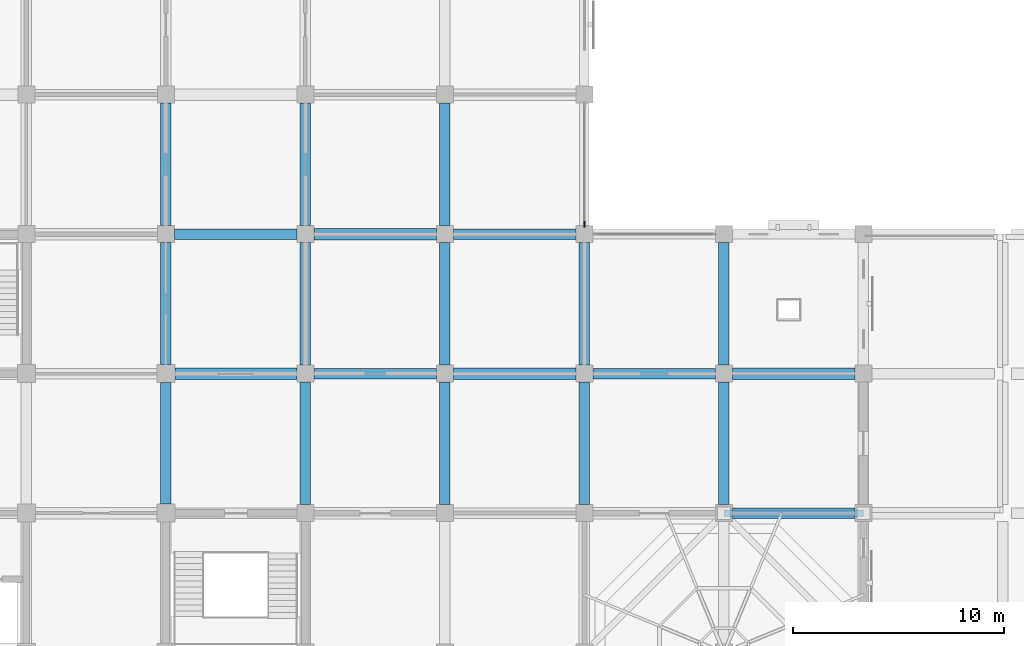
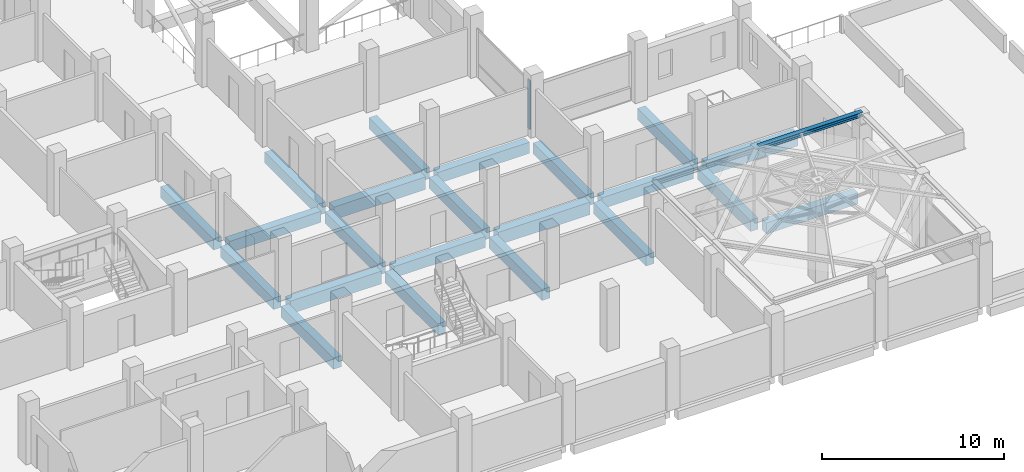
# One storey, part 3 of 25: 23 beams, 1 member, 1 element without a shape of its own.
"""IFC4 building model written with IfcOpenShell, lengths in metres."""

from ifc_helpers import new_model, si_unit, direction, frame, origin, origin_2d, place, context, subcontext, project, spatial, rectangle, i_section, extrude, material, material_profile, profile_set, type_object, element, aggregate, save


model = new_model("IFC4")

# Units and contexts
model_context = context("Model", 3, precision=1e-05, world=origin(), true_north=direction((0.0, 1.0)))
body_context = subcontext(model_context, "Body", "Model", "MODEL_VIEW")
ifc_project = project(units=[si_unit("LENGTHUNIT", "METRE"), si_unit("AREAUNIT", "SQUARE_METRE"), si_unit("VOLUMEUNIT", "CUBIC_METRE"), si_unit("PLANEANGLEUNIT", "RADIAN"), si_unit("MASSUNIT", "GRAM", prefix="KILO")], contexts=[model_context])

# Site, building, storey
site_placement = place(None, origin())
site = spatial("IfcSite", under=ifc_project, at=site_placement, CompositionType="ELEMENT")
building_placement = place(site_placement, origin())
building = spatial("IfcBuilding", under=site, at=building_placement, Name="Rusizi Kubbe Research Institute", CompositionType="ELEMENT")
storey_placement = place(building_placement, frame((0.0, 0.0, 14.39990234375)))
storey = spatial("IfcBuildingStorey", under=building, at=storey_placement, Name="L03", CompositionType="ELEMENT", Elevation=14.39990234375)

# Beams
ifc_material_1 = material(Name="Steel S355", Category="steel")
ifc_material_profile_1 = material_profile(ifc_material_1, i_section(OverallWidth=0.300048828125, OverallDepth=0.300048828125, WebThickness=0.010986328125, FlangeThickness=0.01904296875, at=origin_2d()), Name="HEB 300")
ifc_profile_set_1 = profile_set([ifc_material_profile_1], Name="Steel S355")
beam_type_1 = type_object("IfcBeamType", Name="BM-HEB300", PredefinedType="BEAM", material=ifc_profile_set_1)
beam_1_placement = place(storey_placement, frame((59.39990234375, 13.199951171875, 4.7001953125), z_axis=(1.0, 0.0, 0.0), x_axis=(0.0, 1.0, 0.0)))
element("IfcBeam", 1, at=beam_1_placement, inside=storey, type_object=beam_type_1, Name="Kubbe Dome Ring Beam DOME-EP1 N2", PredefinedType="BEAM", context=body_context, shape_type="SweptSolid", body=[
    extrude(i_section(OverallWidth=0.300048828125, OverallDepth=0.300048828125, WebThickness=0.010986328125, FlangeThickness=0.01904296875, at=origin_2d()), origin(), (0.0, 0.0, 1.0), 6.60009765625),
])
ifc_material_2 = material(Name="Concrete C45/55", Category="concrete")
ifc_material_profile_2 = material_profile(ifc_material_2, rectangle(XDim=0.5, YDim=0.75, at=origin_2d()), Name="RC500x750B")
ifc_profile_set_2 = profile_set([ifc_material_profile_2], Name="Concrete C45/55")
beam_type_2 = type_object("IfcBeamType", Name="BM-RC500x750", PredefinedType="BEAM", material=ifc_profile_set_2)
for number, where, z_axis, x_axis, name in (
    (2, (33.39990234375, 26.39990234375, -0.724853515625), (1.0, 0.0, 0.0), (0.0, 1.0, 0.0), "Grid Beam H L03 (5,4)"),
    (3, (40.0, 19.800048828125, -0.724853515625), (1.0, 0.0, 0.0), (0.0, 1.0, 0.0), "Grid Beam H L03 (6,3)"),
):
    element("IfcBeam", number, at=place(storey_placement, frame(where, z_axis=z_axis, x_axis=x_axis)), inside=storey, type_object=beam_type_2, Name=name, PredefinedType="BEAM", context=body_context, shape_type="SweptSolid", body=[
        extrude(rectangle(XDim=0.5, YDim=0.75, at=origin_2d()), origin(), (0.0, 0.0, 1.0), 5.800048828125),
    ])
beam_2_placement = place(storey_placement, frame((46.60009765625, 26.39990234375, -0.724853515625), z_axis=(1.0, 0.0, 0.0), x_axis=(0.0, 1.0, 0.0)))
element("IfcBeam", 4, at=beam_2_placement, inside=storey, type_object=beam_type_2, Name="Grid Beam H L03 (7,4)", PredefinedType="BEAM", context=body_context, shape_type="SweptSolid", body=[
    extrude(rectangle(XDim=0.5, YDim=0.75, at=origin_2d()), origin(), (0.0, 0.0, 1.0), 5.7998046875),
])
for number, where, z_axis, x_axis, name in (
    (5, (53.199951171875, 19.800048828125, -0.724853515625), (1.0, 0.0, 0.0), (0.0, 1.0, 0.0), "Grid Beam H L03 (8,3)"),
    (6, (59.800048828125, 13.199951171875, -0.724853515625), (1.0, 0.0, 0.0), (0.0, 1.0, 0.0), "Grid Beam H L03 (9,2)"),
):
    element("IfcBeam", number, at=place(storey_placement, frame(where, z_axis=z_axis, x_axis=x_axis)), inside=storey, type_object=beam_type_2, Name=name, PredefinedType="BEAM", context=body_context, shape_type="SweptSolid", body=[
        extrude(rectangle(XDim=0.5, YDim=0.75, at=origin_2d()), origin(), (0.0, 0.0, 1.0), 5.800048828125),
    ])
beam_3_placement = place(storey_placement, frame((33.0, 13.625, -0.724853515625), z_axis=(0.0, 1.0, 0.0), x_axis=(-1.0, 0.0, 0.0)))
element("IfcBeam", 7, at=beam_3_placement, inside=storey, type_object=beam_type_2, Name="Grid Beam V L03 (5,2)", PredefinedType="BEAM", context=body_context, shape_type="SweptSolid", body=[
    extrude(rectangle(XDim=0.5, YDim=0.75, at=origin_2d()), origin(), (0.0, 0.0, 1.0), 5.75),
])
beam_4_placement = place(storey_placement, frame((33.0, 20.22509765625, -0.724853515625), z_axis=(0.0, 1.0, 0.0), x_axis=(-1.0, 0.0, 0.0)))
element("IfcBeam", 8, at=beam_4_placement, inside=storey, type_object=beam_type_2, Name="Grid Beam V L03 (5,3)", PredefinedType="BEAM", context=body_context, shape_type="SweptSolid", body=[
    extrude(rectangle(XDim=0.5, YDim=0.75, at=origin_2d()), origin(), (0.0, 0.0, 1.0), 5.77490234375),
])
beam_5_placement = place(storey_placement, frame((33.0, 26.800048828125, -0.724853515625), z_axis=(0.0, 1.0, 0.0), x_axis=(-1.0, 0.0, 0.0)))
element("IfcBeam", 9, at=beam_5_placement, inside=storey, type_object=beam_type_2, Name="Grid Beam V L03 (5,4)", PredefinedType="BEAM", context=body_context, shape_type="SweptSolid", body=[
    extrude(rectangle(XDim=0.5, YDim=0.75, at=origin_2d()), origin(), (0.0, 0.0, 1.0), 5.800048828125),
])
beam_6_placement = place(storey_placement, frame((39.60009765625, 13.60009765625, -0.724853515625), z_axis=(0.0, 1.0, 0.0), x_axis=(-1.0, 0.0, 0.0)))
element("IfcBeam", 10, at=beam_6_placement, inside=storey, type_object=beam_type_2, Name="Grid Beam V L03 (6,2)", PredefinedType="BEAM", context=body_context, shape_type="SweptSolid", body=[
    extrude(rectangle(XDim=0.5, YDim=0.75, at=origin_2d()), origin(), (0.0, 0.0, 1.0), 5.7998046875),
])
for number, where, z_axis, x_axis, name in (
    (11, (39.60009765625, 20.199951171875, -0.724853515625), (0.0, 1.0, 0.0), (-1.0, 0.0, 0.0), "Grid Beam V L03 (6,3)"),
    (12, (39.60009765625, 26.800048828125, -0.724853515625), (0.0, 1.0, 0.0), (-1.0, 0.0, 0.0), "Grid Beam V L03 (6,4)"),
):
    element("IfcBeam", number, at=place(storey_placement, frame(where, z_axis=z_axis, x_axis=x_axis)), inside=storey, type_object=beam_type_2, Name=name, PredefinedType="BEAM", context=body_context, shape_type="SweptSolid", body=[
        extrude(rectangle(XDim=0.5, YDim=0.75, at=origin_2d()), origin(), (0.0, 0.0, 1.0), 5.800048828125),
    ])
beam_7_placement = place(storey_placement, frame((46.199951171875, 13.60009765625, -0.724853515625), z_axis=(0.0, 1.0, 0.0), x_axis=(-1.0, 0.0, 0.0)))
element("IfcBeam", 13, at=beam_7_placement, inside=storey, type_object=beam_type_2, Name="Grid Beam V L03 (7,2)", PredefinedType="BEAM", context=body_context, shape_type="SweptSolid", body=[
    extrude(rectangle(XDim=0.5, YDim=0.75, at=origin_2d()), origin(), (0.0, 0.0, 1.0), 5.7998046875),
])
for number, where, z_axis, x_axis, name in (
    (14, (46.199951171875, 20.199951171875, -0.724853515625), (0.0, 1.0, 0.0), (-1.0, 0.0, 0.0), "Grid Beam V L03 (7,3)"),
    (15, (46.199951171875, 26.800048828125, -0.724853515625), (0.0, 1.0, 0.0), (-1.0, 0.0, 0.0), "Grid Beam V L03 (7,4)"),
):
    element("IfcBeam", number, at=place(storey_placement, frame(where, z_axis=z_axis, x_axis=x_axis)), inside=storey, type_object=beam_type_2, Name=name, PredefinedType="BEAM", context=body_context, shape_type="SweptSolid", body=[
        extrude(rectangle(XDim=0.5, YDim=0.75, at=origin_2d()), origin(), (0.0, 0.0, 1.0), 5.800048828125),
    ])
beam_8_placement = place(storey_placement, frame((52.800048828125, 13.60009765625, -0.724853515625), z_axis=(0.0, 1.0, 0.0), x_axis=(-1.0, 0.0, 0.0)))
element("IfcBeam", 16, at=beam_8_placement, inside=storey, type_object=beam_type_2, Name="Grid Beam V L03 (8,2)", PredefinedType="BEAM", context=body_context, shape_type="SweptSolid", body=[
    extrude(rectangle(XDim=0.5, YDim=0.75, at=origin_2d()), origin(), (0.0, 0.0, 1.0), 5.7998046875),
])
beam_9_placement = place(storey_placement, frame((52.800048828125, 20.199951171875, -0.724853515625), z_axis=(0.0, 1.0, 0.0), x_axis=(-1.0, 0.0, 0.0)))
element("IfcBeam", 17, at=beam_9_placement, inside=storey, type_object=beam_type_2, Name="Grid Beam V L03 (8,3)", PredefinedType="BEAM", context=body_context, shape_type="SweptSolid", body=[
    extrude(rectangle(XDim=0.5, YDim=0.75, at=origin_2d()), origin(), (0.0, 0.0, 1.0), 5.800048828125),
])
beam_10_placement = place(storey_placement, frame((59.39990234375, 13.60009765625, -0.724853515625), z_axis=(0.0, 1.0, 0.0), x_axis=(-1.0, 0.0, 0.0)))
element("IfcBeam", 18, at=beam_10_placement, inside=storey, type_object=beam_type_2, Name="Grid Beam V L03 (9,2)", PredefinedType="BEAM", context=body_context, shape_type="SweptSolid", body=[
    extrude(rectangle(XDim=0.5, YDim=0.75, at=origin_2d()), origin(), (0.0, 0.0, 1.0), 5.7998046875),
])
beam_11_placement = place(storey_placement, frame((59.39990234375, 20.199951171875, -0.724853515625), z_axis=(0.0, 1.0, 0.0), x_axis=(-1.0, 0.0, 0.0)))
element("IfcBeam", 19, at=beam_11_placement, inside=storey, type_object=beam_type_2, Name="Grid Beam V L03 (9,3)", PredefinedType="BEAM", context=body_context, shape_type="SweptSolid", body=[
    extrude(rectangle(XDim=0.5, YDim=0.75, at=origin_2d()), origin(), (0.0, 0.0, 1.0), 5.800048828125),
])
ifc_material_3 = material(Name="Concrete C45/55", Category="concrete")
ifc_material_profile_3 = material_profile(ifc_material_3, rectangle(XDim=0.550048828125, YDim=0.85009765625, at=origin_2d()), Name="RC550x850")
ifc_profile_set_3 = profile_set([ifc_material_profile_3], Name="Concrete C45/55")
beam_type_3 = type_object("IfcBeamType", Name="BM-RC550x850", PredefinedType="BEAM", material=ifc_profile_set_3)
beam_12_placement = place(storey_placement, frame((33.425048828125, 19.800048828125, -0.77490234375), z_axis=(1.0, 0.0, 0.0), x_axis=(0.0, 1.0, 0.0)))
element("IfcBeam", 20, at=beam_12_placement, inside=storey, type_object=beam_type_3, Name="Grid Beam H L03 (5,3)", PredefinedType="BEAM", context=body_context, shape_type="SweptSolid", body=[
    extrude(rectangle(XDim=0.550048828125, YDim=0.85009765625, at=origin_2d()), origin(), (0.0, 0.0, 1.0), 5.77490234375),
])
beam_13_placement = place(storey_placement, frame((40.0, 26.39990234375, -0.77490234375), z_axis=(1.0, 0.0, 0.0), x_axis=(0.0, 1.0, 0.0)))
element("IfcBeam", 21, at=beam_13_placement, inside=storey, type_object=beam_type_3, Name="Grid Beam H L03 (6,4)", PredefinedType="BEAM", context=body_context, shape_type="SweptSolid", body=[
    extrude(rectangle(XDim=0.550048828125, YDim=0.85009765625, at=origin_2d()), origin(), (0.0, 0.0, 1.0), 5.800048828125),
])
beam_14_placement = place(storey_placement, frame((46.60009765625, 19.800048828125, -0.77490234375), z_axis=(1.0, 0.0, 0.0), x_axis=(0.0, 1.0, 0.0)))
element("IfcBeam", 22, at=beam_14_placement, inside=storey, type_object=beam_type_3, Name="Grid Beam H L03 (7,3)", PredefinedType="BEAM", context=body_context, shape_type="SweptSolid", body=[
    extrude(rectangle(XDim=0.550048828125, YDim=0.85009765625, at=origin_2d()), origin(), (0.0, 0.0, 1.0), 5.7998046875),
])
beam_15_placement = place(storey_placement, frame((59.800048828125, 19.800048828125, -0.77490234375), z_axis=(1.0, 0.0, 0.0), x_axis=(0.0, 1.0, 0.0)))
element("IfcBeam", 23, at=beam_15_placement, inside=storey, type_object=beam_type_3, Name="Grid Beam H L03 (9,3)", PredefinedType="BEAM", context=body_context, shape_type="SweptSolid", body=[
    extrude(rectangle(XDim=0.550048828125, YDim=0.85009765625, at=origin_2d()), origin(), (0.0, 0.0, 1.0), 5.800048828125),
])

# Curtain wall, member
ifc_material_4 = material(Name="Thermally Broken Aluminium and Low-E Glazing", Category="aluminium")
curtain_wall_type = type_object("IfcCurtainWallType", Name="CW-06", PredefinedType="NOTDEFINED", material=ifc_material_4)
curtain_wall_placement = place(storey_placement, origin())
curtain_wall = element("IfcCurtainWall", 24, at=curtain_wall_placement, inside=storey, type_object=curtain_wall_type, Name="Unitised Facade Curtain Wall CW-L03-V-08-04", PredefinedType="NOTDEFINED")
ifc_material_5 = material(Name="Aluminium Alloy 6063-T6", Category="aluminium")
ifc_material_profile_4 = material_profile(ifc_material_5, rectangle(XDim=0.080078125, YDim=0.280029296875, at=origin_2d()), Name="ALU-M 80x280")
ifc_profile_set_4 = profile_set([ifc_material_profile_4], Name="Aluminium Alloy 6063-T6")
member_type = type_object("IfcMemberType", Name="ML-06", PredefinedType="MULLION", material=ifc_profile_set_4)
member_placement = place(storey_placement, frame((52.800048828125, 26.8701171875, 0.0), z_axis=(0.0, 0.0, 1.0), x_axis=(-1.0, 0.0, 0.0)))
member = element("IfcMember", 25, at=member_placement, type_object=member_type, Name="CW-06 mullion 1", PredefinedType="MULLION", context=body_context, shape_type="SweptSolid", body=[
    extrude(rectangle(XDim=0.080078125, YDim=0.280029296875, at=origin_2d()), origin(), (0.0, 0.0, 1.0), 3.260009765625),
])
aggregate(curtain_wall, [member])

save(model, "model.ifc")
